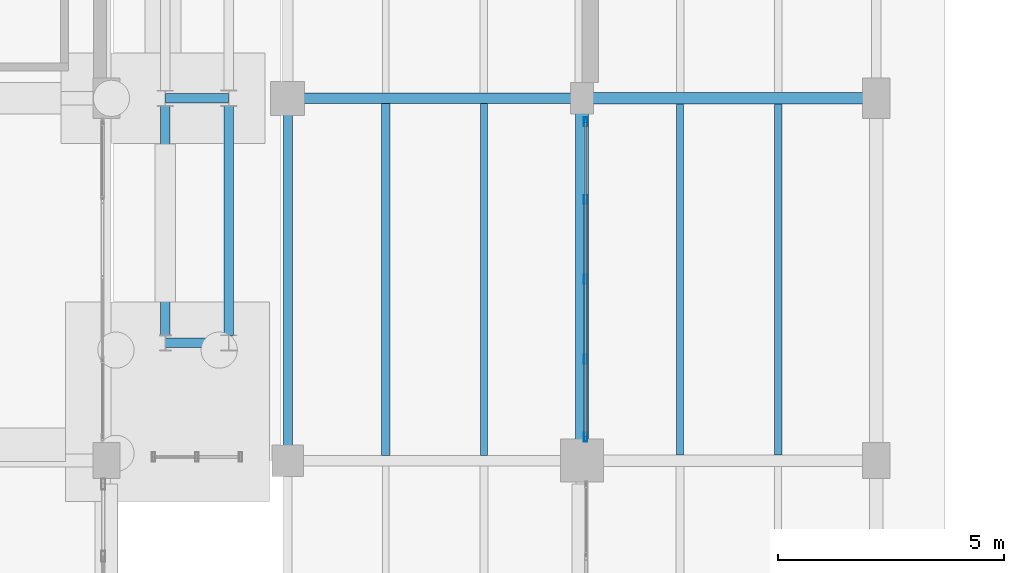
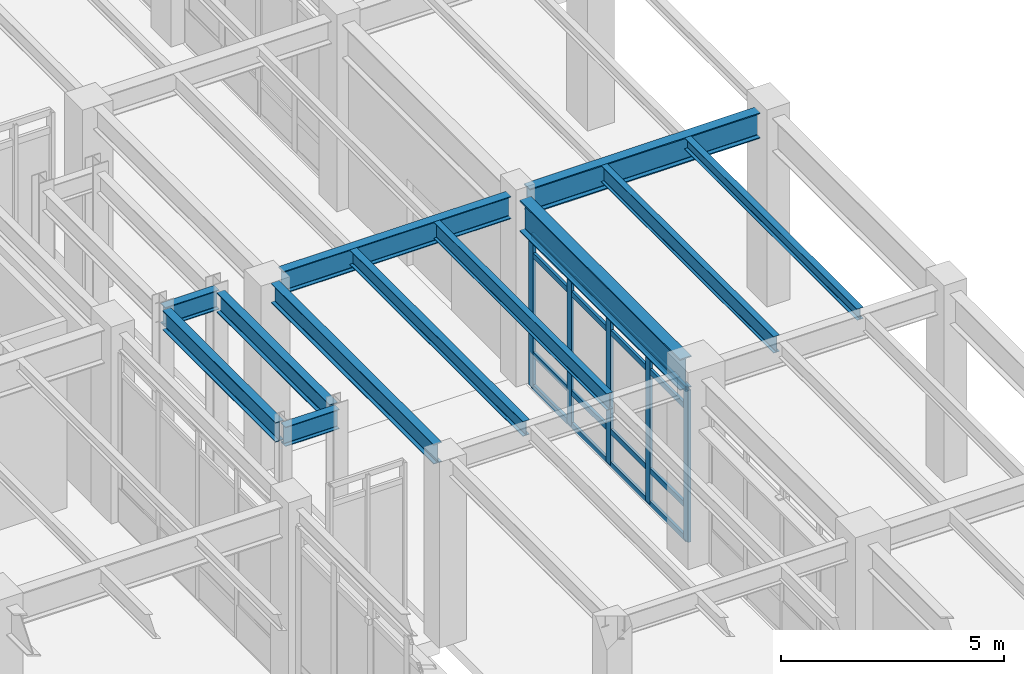
# One storey, part 43 of 203: 12 beams, 9 members, 1 element without a shape of its own.
"""IFC4 building model written with IfcOpenShell, lengths in metres."""

from ifc_helpers import new_model, si_unit, direction, frame, origin, origin_2d, place, context, subcontext, project, spatial, hollow_rectangle, i_section, extrude, material, material_profile, profile_set, type_object, element, aggregate, save


model = new_model("IFC4")

# Units and contexts
model_context = context("Model", 3, precision=1e-05, world=origin(), true_north=direction((0.0, 1.0)))
body_context = subcontext(model_context, "Body", "Model", "MODEL_VIEW")
ifc_project = project(units=[si_unit("LENGTHUNIT", "METRE"), si_unit("AREAUNIT", "SQUARE_METRE"), si_unit("VOLUMEUNIT", "CUBIC_METRE"), si_unit("PLANEANGLEUNIT", "RADIAN"), si_unit("MASSUNIT", "GRAM", prefix="KILO"), si_unit("THERMODYNAMICTEMPERATUREUNIT", "KELVIN"), si_unit("POWERUNIT", "WATT")], contexts=[model_context])

# Site, building, storey
site_placement = place(None, origin())
site = spatial("IfcSite", under=ifc_project, at=site_placement, CompositionType="ELEMENT")
building_placement = place(site_placement, origin())
building = spatial("IfcBuilding", under=site, at=building_placement, Name="Tepalcoro Natatorium and Aquatics Centre", CompositionType="ELEMENT")
storey_placement = place(building_placement, origin())
storey = spatial("IfcBuildingStorey", under=building, at=storey_placement, Name="L00", CompositionType="ELEMENT", Elevation=0.0)

# Beams
ifc_material_1 = material(Name="Steel ASTM A992 Grade 50 (Fy 345 MPa)", Category="steel")
ifc_material_profile_1 = material_profile(ifc_material_1, i_section(OverallWidth=0.2109375, OverallDepth=0.5380859375, WebThickness=0.011962890625, FlangeThickness=0.01904296875, FilletRadius=0.013916015625, at=origin_2d()), Name="W21X73")
ifc_profile_set_1 = profile_set([ifc_material_profile_1], Name="Steel ASTM A992 Grade 50 (Fy 345 MPa)")
beam_type_1 = type_object("IfcBeamType", Name="BM_LINK_LB1", PredefinedType="BEAM", material=ifc_profile_set_1)
for number, where, z_axis, x_axis, name in (
    (1, (37.300048828125, 30.60009765625, 4.89599609375), (1.0, 0.0, 0.0), (0.0, 1.0, 0.0), "Seismic passage link beam LB1 (V6W L00)"),
    (2, (37.300048828125, 36.0, 4.89599609375), (1.0, 0.0, 0.0), (0.0, 1.0, 0.0), "Seismic passage link beam LB1 (V6W L00)"),
):
    element("IfcBeam", number, at=place(storey_placement, frame(where, z_axis=z_axis, x_axis=x_axis)), inside=storey, type_object=beam_type_1, Name=name, PredefinedType="BEAM", context=body_context, shape_type="SweptSolid", body=[
        extrude(i_section(OverallWidth=0.2109375, OverallDepth=0.5380859375, WebThickness=0.011962890625, FlangeThickness=0.01904296875, FilletRadius=0.013916015625, at=origin_2d()), origin(), (0.0, 0.0, 1.0), 1.39990234375),
    ])
beam_1_placement = place(storey_placement, frame((37.300048828125, 30.757080078125, 4.89599609375), z_axis=(0.0, 1.0, 0.0), x_axis=(-1.0, 0.0, 0.0)))
element("IfcBeam", 3, at=beam_1_placement, inside=storey, type_object=beam_type_1, Name="Seismic passage link beam LB1 (V6W L00)", PredefinedType="BEAM", context=body_context, shape_type="SweptSolid", body=[
    extrude(i_section(OverallWidth=0.2109375, OverallDepth=0.5380859375, WebThickness=0.011962890625, FlangeThickness=0.01904296875, FilletRadius=0.013916015625, at=origin_2d()), origin(), (0.0, 0.0, 1.0), 5.0859375),
])
beam_2_placement = place(storey_placement, frame((38.699951171875, 30.757080078125, 4.89599609375), z_axis=(0.0, 1.0, 0.0), x_axis=(-1.0, 0.0, 0.0)))
element("IfcBeam", 4, at=beam_2_placement, inside=storey, type_object=beam_type_1, Name="Seismic passage link beam LB1 (V6W L00)", PredefinedType="BEAM", context=body_context, shape_type="SweptSolid", body=[
    extrude(i_section(OverallWidth=0.2109375, OverallDepth=0.5380859375, WebThickness=0.011962890625, FlangeThickness=0.01904296875, FilletRadius=0.013916015625, at=origin_2d()), origin(), (0.0, 0.0, 1.0), 5.079833984375),
])
ifc_material_profile_2 = material_profile(ifc_material_1, i_section(OverallWidth=0.22998046875, OverallDepth=0.616943359375, WebThickness=0.012939453125, FlangeThickness=0.02197265625, FilletRadius=0.013916015625, at=origin_2d()), Name="W24X94")
ifc_profile_set_2 = profile_set([ifc_material_profile_2], Name="Steel ASTM A992 Grade 50 (Fy 345 MPa)")
beam_type_2 = type_object("IfcBeamType", Name="BM_W24x94", PredefinedType="BEAM", material=ifc_profile_set_2)
beam_3_placement = place(storey_placement, frame((40.360107421875, 36.0, 4.776611328125), z_axis=(1.0, 0.0, 0.0), x_axis=(0.0, 1.0, 0.0)))
element("IfcBeam", 5, at=beam_3_placement, inside=storey, type_object=beam_type_2, Name="V1 L00 Grid Girder X", PredefinedType="BEAM", context=body_context, shape_type="SweptSolid", body=[
    extrude(i_section(OverallWidth=0.22998046875, OverallDepth=0.616943359375, WebThickness=0.012939453125, FlangeThickness=0.02197265625, FilletRadius=0.013916015625, at=origin_2d()), origin(), (0.0, 0.0, 1.0), 5.90478515625),
])
ifc_material_profile_3 = material_profile(ifc_material_1, i_section(OverallWidth=0.25390625, OverallDepth=0.700927734375, WebThickness=0.014892578125, FlangeThickness=0.028076171875, FilletRadius=0.013916015625, at=origin_2d()), Name="W27X129")
ifc_profile_set_3 = profile_set([ifc_material_profile_3], Name="Steel ASTM A992 Grade 50 (Fy 345 MPa)")
beam_type_3 = type_object("IfcBeamType", Name="BM_W27x129", PredefinedType="BEAM", material=ifc_profile_set_3)
beam_4_placement = place(storey_placement, frame((46.735107421875, 36.0, 4.7744140625), z_axis=(1.0, 0.0, 0.0), x_axis=(0.0, 1.0, 0.0)))
element("IfcBeam", 6, at=beam_4_placement, inside=storey, type_object=beam_type_3, Name="V1 L00 Grid Girder X", PredefinedType="BEAM", context=body_context, shape_type="SweptSolid", body=[
    extrude(i_section(OverallWidth=0.25390625, OverallDepth=0.700927734375, WebThickness=0.014892578125, FlangeThickness=0.028076171875, FilletRadius=0.013916015625, at=origin_2d()), origin(), (0.0, 0.0, 1.0), 5.97998046875),
])
ifc_material_profile_4 = material_profile(ifc_material_1, i_section(OverallWidth=0.2919921875, OverallDepth=0.85888671875, WebThickness=0.01708984375, FlangeThickness=0.031005859375, FilletRadius=0.013916015625, at=origin_2d()), Name="W33X169")
ifc_profile_set_4 = profile_set([ifc_material_profile_4], Name="Steel ASTM A992 Grade 50 (Fy 345 MPa)")
beam_type_4 = type_object("IfcBeamType", Name="BM_W33x169", PredefinedType="BEAM", material=ifc_profile_set_4)
beam_5_placement = place(storey_placement, frame((46.5, 28.4599609375, 4.655517578125), z_axis=(0.0, 1.0, 0.0), x_axis=(-1.0, 0.0, 0.0)))
element("IfcBeam", 7, at=beam_5_placement, inside=storey, type_object=beam_type_4, Name="V1 L00 Grid Girder Y", PredefinedType="BEAM", context=body_context, shape_type="SweptSolid", body=[
    extrude(i_section(OverallWidth=0.2919921875, OverallDepth=0.85888671875, WebThickness=0.01708984375, FlangeThickness=0.031005859375, FilletRadius=0.013916015625, at=origin_2d()), origin(), (0.0, 0.0, 1.0), 7.205078125),
])

# Curtain wall, members
ifc_material_2 = material(Name="Bronze-Anodised Extruded Aluminium Alloy EN AW-6063 T6", Category="aluminium")
curtain_wall_type = type_object("IfcCurtainWallType", Name="CW_LEAN_T2_NS", PredefinedType="USERDEFINED", material=ifc_material_2)
curtain_wall_placement = place(storey_placement, origin())
curtain_wall = element("IfcCurtainWall", 8, at=curtain_wall_placement, inside=storey, type_object=curtain_wall_type, Name="V1 L00 W Unitised Curtain Wall Bay 4", ObjectType="FACETED SOLAR GLAZING", PredefinedType="USERDEFINED")
ifc_material_profile_5 = material_profile(ifc_material_2, hollow_rectangle(XDim=0.070068359375, YDim=0.199951171875, WallThickness=0.0048828125, at=origin_2d()), Name="AL70X200X5")
ifc_profile_set_5 = profile_set([ifc_material_profile_5], Name="Bronze-Anodised Extruded Aluminium Alloy EN AW-6063 T6")
member_type_1 = type_object("IfcMemberType", Name="CW_MUL_70x200", PredefinedType="MULLION", material=ifc_profile_set_5)
member_1_placement = place(storey_placement, frame((46.576171875, 28.52001953125, 0.02001953125), z_axis=(0.0, 0.0, 1.0), x_axis=(1.0, 0.0, 0.0)))
member_1 = element("IfcMember", 9, at=member_1_placement, type_object=member_type_1, Name="CW_LEAN_T2_NS Curtain Wall Mullion", PredefinedType="MULLION", context=body_context, shape_type="SweptSolid", body=[
    extrude(hollow_rectangle(XDim=0.070068359375, YDim=0.199951171875, WallThickness=0.0048828125, at=origin_2d()), origin(), (0.0, 0.0, 1.0), 4.1708984375),
])
member_2_placement = place(storey_placement, frame((46.576171875, 30.239990234375, 0.02001953125), z_axis=(0.0, 0.0, 1.0), x_axis=(1.0, 0.0, 0.0)))
member_2 = element("IfcMember", 10, at=member_2_placement, type_object=member_type_1, Name="CW_LEAN_T2_NS Curtain Wall Mullion", PredefinedType="MULLION", context=body_context, shape_type="SweptSolid", body=[
    extrude(hollow_rectangle(XDim=0.070068359375, YDim=0.199951171875, WallThickness=0.0048828125, at=origin_2d()), origin(), (0.0, 0.0, 1.0), 4.1708984375),
])
member_3_placement = place(storey_placement, frame((46.576171875, 32.0, 0.02001953125), z_axis=(0.0, 0.0, 1.0), x_axis=(1.0, 0.0, 0.0)))
member_3 = element("IfcMember", 11, at=member_3_placement, type_object=member_type_1, Name="CW_LEAN_T2_NS Curtain Wall Mullion", PredefinedType="MULLION", context=body_context, shape_type="SweptSolid", body=[
    extrude(hollow_rectangle(XDim=0.070068359375, YDim=0.199951171875, WallThickness=0.0048828125, at=origin_2d()), origin(), (0.0, 0.0, 1.0), 4.1708984375),
])
member_4_placement = place(storey_placement, frame((46.576171875, 33.760009765625, 0.02001953125), z_axis=(0.0, 0.0, 1.0), x_axis=(1.0, 0.0, 0.0)))
member_4 = element("IfcMember", 12, at=member_4_placement, type_object=member_type_1, Name="CW_LEAN_T2_NS Curtain Wall Mullion", PredefinedType="MULLION", context=body_context, shape_type="SweptSolid", body=[
    extrude(hollow_rectangle(XDim=0.070068359375, YDim=0.199951171875, WallThickness=0.0048828125, at=origin_2d()), origin(), (0.0, 0.0, 1.0), 4.1708984375),
])
member_5_placement = place(storey_placement, frame((46.576171875, 35.47998046875, 0.02001953125), z_axis=(0.0, 0.0, 1.0), x_axis=(1.0, 0.0, 0.0)))
member_5 = element("IfcMember", 13, at=member_5_placement, type_object=member_type_1, Name="CW_LEAN_T2_NS Curtain Wall Mullion", PredefinedType="MULLION", context=body_context, shape_type="SweptSolid", body=[
    extrude(hollow_rectangle(XDim=0.070068359375, YDim=0.199951171875, WallThickness=0.0048828125, at=origin_2d()), origin(), (0.0, 0.0, 1.0), 4.1708984375),
])
ifc_material_profile_6 = material_profile(ifc_material_2, hollow_rectangle(XDim=0.070068359375, YDim=0.14990234375, WallThickness=0.00390625, at=origin_2d()), Name="AL70X150X4")
ifc_profile_set_6 = profile_set([ifc_material_profile_6], Name="Bronze-Anodised Extruded Aluminium Alloy EN AW-6063 T6")
member_type_2 = type_object("IfcMemberType", Name="CW_TRN_70x150", PredefinedType="USERDEFINED", material=ifc_profile_set_6)
member_6_placement = place(storey_placement, frame((46.576171875, 28.530029296875, 0.050048828125), z_axis=(0.0, 1.0, 0.0), x_axis=(-1.0, 0.0, 0.0)))
member_6 = element("IfcMember", 14, at=member_6_placement, type_object=member_type_2, Name="CW_LEAN_T2_NS Curtain Wall Transom", ObjectType="TRANSOM", PredefinedType="USERDEFINED", context=body_context, shape_type="SweptSolid", body=[
    extrude(hollow_rectangle(XDim=0.070068359375, YDim=0.14990234375, WallThickness=0.00390625, at=origin_2d()), origin(), (0.0, 0.0, 1.0), 6.93994140625),
])
member_7_placement = place(storey_placement, frame((46.576171875, 28.530029296875, 0.949951171875), z_axis=(0.0, 1.0, 0.0), x_axis=(-1.0, 0.0, 0.0)))
member_7 = element("IfcMember", 15, at=member_7_placement, type_object=member_type_2, Name="CW_LEAN_T2_NS Curtain Wall Transom", ObjectType="TRANSOM", PredefinedType="USERDEFINED", context=body_context, shape_type="SweptSolid", body=[
    extrude(hollow_rectangle(XDim=0.070068359375, YDim=0.14990234375, WallThickness=0.00390625, at=origin_2d()), origin(), (0.0, 0.0, 1.0), 6.93994140625),
])
member_8_placement = place(storey_placement, frame((46.576171875, 28.530029296875, 3.660888671875), z_axis=(0.0, 1.0, 0.0), x_axis=(-1.0, 0.0, 0.0)))
member_8 = element("IfcMember", 16, at=member_8_placement, type_object=member_type_2, Name="CW_LEAN_T2_NS Curtain Wall Transom", ObjectType="TRANSOM", PredefinedType="USERDEFINED", context=body_context, shape_type="SweptSolid", body=[
    extrude(hollow_rectangle(XDim=0.070068359375, YDim=0.14990234375, WallThickness=0.00390625, at=origin_2d()), origin(), (0.0, 0.0, 1.0), 6.93994140625),
])
member_9_placement = place(storey_placement, frame((46.576171875, 28.530029296875, 4.160888671875), z_axis=(0.0, 1.0, 0.0), x_axis=(-1.0, 0.0, 0.0)))
member_9 = element("IfcMember", 17, at=member_9_placement, type_object=member_type_2, Name="CW_LEAN_T2_NS Curtain Wall Transom", ObjectType="TRANSOM", PredefinedType="USERDEFINED", context=body_context, shape_type="SweptSolid", body=[
    extrude(hollow_rectangle(XDim=0.070068359375, YDim=0.14990234375, WallThickness=0.00390625, at=origin_2d()), origin(), (0.0, 0.0, 1.0), 6.93994140625),
])
aggregate(curtain_wall, [member_1, member_2, member_3, member_4, member_5, member_6, member_7, member_8, member_9])

# Beams
ifc_material_profile_7 = material_profile(ifc_material_1, i_section(OverallWidth=0.1650390625, OverallDepth=0.31005859375, WebThickness=0.006103515625, FlangeThickness=0.010009765625, FilletRadius=0.013916015625, at=origin_2d()), Name="W12X26")
ifc_profile_set_7 = profile_set([ifc_material_profile_7], Name="Steel ASTM A992 Grade 50 (Fy 345 MPa)")
beam_type_5 = type_object("IfcBeamType", Name="JS_W12x26", PredefinedType="JOIST", material=ifc_profile_set_7)
beam_6_placement = place(storey_placement, frame((50.833251953125, 28.126953125, 4.969970703125), z_axis=(0.0, 1.0, 0.0), x_axis=(-1.0, 0.0, 0.0)))
element("IfcBeam", 18, at=beam_6_placement, inside=storey, type_object=beam_type_5, Name="V1 L00 Floor Joist", PredefinedType="JOIST", context=body_context, shape_type="SweptSolid", body=[
    extrude(i_section(OverallWidth=0.1650390625, OverallDepth=0.31005859375, WebThickness=0.006103515625, FlangeThickness=0.010009765625, FilletRadius=0.013916015625, at=origin_2d()), origin(), (0.0, 0.0, 1.0), 7.74609375),
])
ifc_material_profile_8 = material_profile(ifc_material_1, i_section(OverallWidth=0.178955078125, OverallDepth=0.409912109375, WebThickness=0.009033203125, FlangeThickness=0.013916015625, FilletRadius=0.013916015625, at=origin_2d()), Name="W16X45")
ifc_profile_set_8 = profile_set([ifc_material_profile_8], Name="Steel ASTM A992 Grade 50 (Fy 345 MPa)")
beam_type_6 = type_object("IfcBeamType", Name="JS_W16x45", PredefinedType="JOIST", material=ifc_profile_set_8)
beam_7_placement = place(storey_placement, frame((42.166748046875, 28.114013671875, 4.8798828125), z_axis=(0.0, 1.0, 0.0), x_axis=(-1.0, 0.0, 0.0)))
element("IfcBeam", 19, at=beam_7_placement, inside=storey, type_object=beam_type_6, Name="V1 L00 Floor Joist", PredefinedType="JOIST", context=body_context, shape_type="SweptSolid", body=[
    extrude(i_section(OverallWidth=0.178955078125, OverallDepth=0.409912109375, WebThickness=0.009033203125, FlangeThickness=0.013916015625, FilletRadius=0.013916015625, at=origin_2d()), origin(), (0.0, 0.0, 1.0), 7.77099609375),
])
ifc_material_profile_9 = material_profile(ifc_material_1, i_section(OverallWidth=0.153076171875, OverallDepth=0.455078125, WebThickness=0.008056640625, FlangeThickness=0.012939453125, FilletRadius=0.013916015625, at=origin_2d()), Name="W18X40")
ifc_profile_set_9 = profile_set([ifc_material_profile_9], Name="Steel ASTM A992 Grade 50 (Fy 345 MPa)")
beam_type_7 = type_object("IfcBeamType", Name="JS_W18x40", PredefinedType="JOIST", material=ifc_profile_set_9)
beam_8_placement = place(storey_placement, frame((44.333251953125, 28.114013671875, 4.857421875), z_axis=(0.0, 1.0, 0.0), x_axis=(-1.0, 0.0, 0.0)))
element("IfcBeam", 20, at=beam_8_placement, inside=storey, type_object=beam_type_7, Name="V1 L00 Floor Joist", PredefinedType="JOIST", context=body_context, shape_type="SweptSolid", body=[
    extrude(i_section(OverallWidth=0.153076171875, OverallDepth=0.455078125, WebThickness=0.008056640625, FlangeThickness=0.012939453125, FilletRadius=0.013916015625, at=origin_2d()), origin(), (0.0, 0.0, 1.0), 7.77099609375),
])
beam_9_placement = place(storey_placement, frame((48.666748046875, 28.126953125, 4.8974609375), z_axis=(0.0, 1.0, 0.0), x_axis=(-1.0, 0.0, 0.0)))
element("IfcBeam", 21, at=beam_9_placement, inside=storey, type_object=beam_type_7, Name="V1 L00 Floor Joist", PredefinedType="JOIST", context=body_context, shape_type="SweptSolid", body=[
    extrude(i_section(OverallWidth=0.153076171875, OverallDepth=0.455078125, WebThickness=0.008056640625, FlangeThickness=0.012939453125, FilletRadius=0.013916015625, at=origin_2d()), origin(), (0.0, 0.0, 1.0), 7.74609375),
])
ifc_material_profile_10 = material_profile(ifc_material_1, i_section(OverallWidth=0.2099609375, OverallDepth=0.535888671875, WebThickness=0.010986328125, FlangeThickness=0.01708984375, FilletRadius=0.013916015625, at=origin_2d()), Name="W21X68")
ifc_profile_set_10 = profile_set([ifc_material_profile_10], Name="Steel ASTM A992 Grade 50 (Fy 345 MPa)")
beam_type_8 = type_object("IfcBeamType", Name="SP_W21x68", PredefinedType="SPANDREL", material=ifc_profile_set_10)
beam_10_placement = place(storey_placement, frame((40.0, 28.3349609375, 4.81689453125), z_axis=(0.0, 1.0, 0.0), x_axis=(-1.0, 0.0, 0.0)))
element("IfcBeam", 22, at=beam_10_placement, inside=storey, type_object=beam_type_8, Name="V1 L00 Grid Girder Y", PredefinedType="SPANDREL", context=body_context, shape_type="SweptSolid", body=[
    extrude(i_section(OverallWidth=0.2099609375, OverallDepth=0.535888671875, WebThickness=0.010986328125, FlangeThickness=0.01708984375, FilletRadius=0.013916015625, at=origin_2d()), origin(), (0.0, 0.0, 1.0), 7.304931640625),
])

save(model, "model.ifc")
